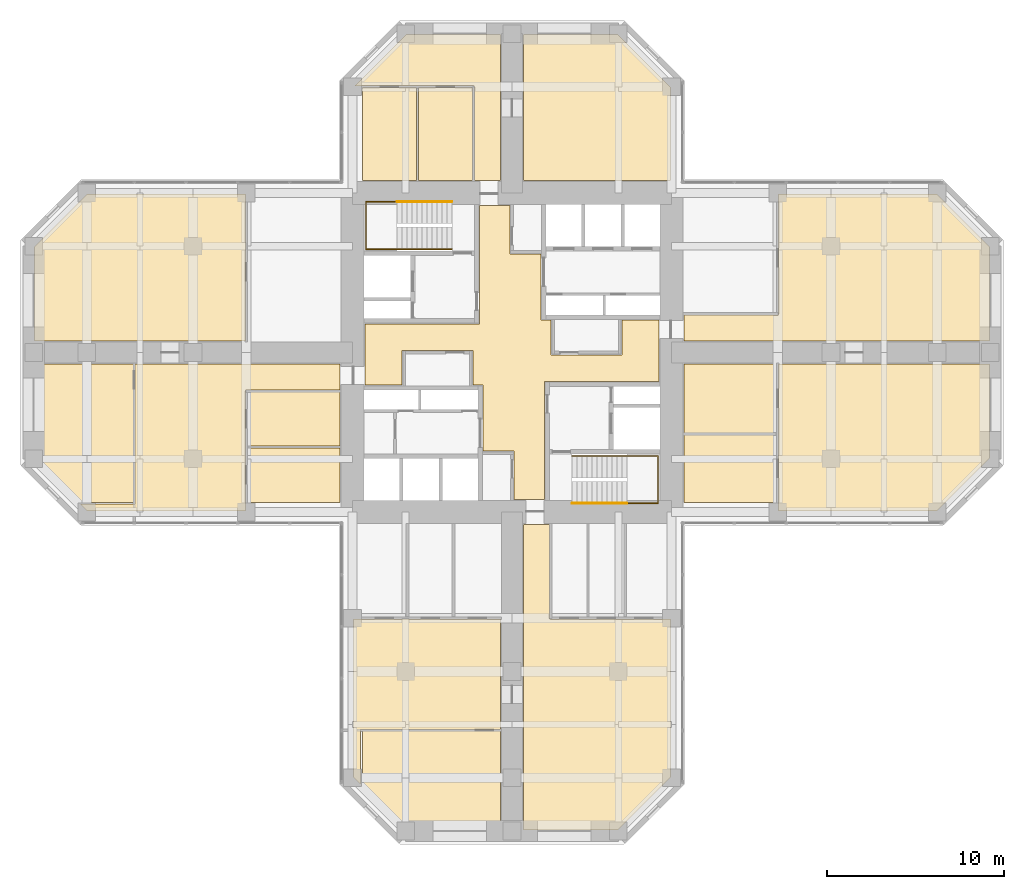
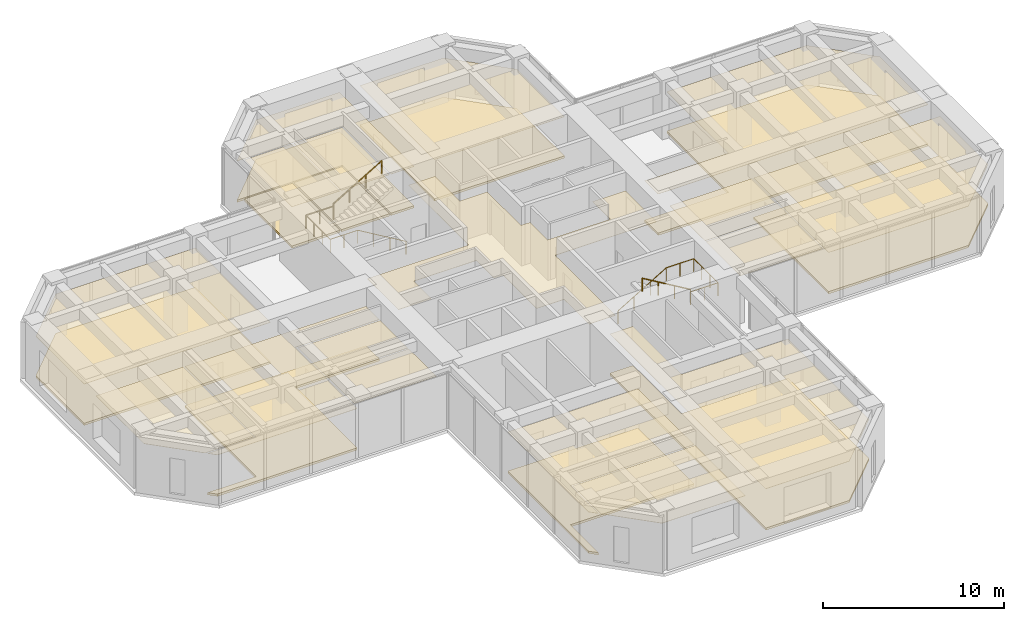
# One storey, part 12 of 12: 27 coverings, 4 railings.
"""IFC4 building model written with IfcOpenShell, lengths in metres."""

from ifc_helpers import new_model, si_unit, direction, frame, origin, origin_2d, place, context, subcontext, project, spatial, polyline, circle, outline, extrude, material, layer, layer_set, constituent, constituent_set, type_object, element, save


model = new_model("IFC4")

# Units and contexts
model_context = context("Model", 3, precision=1e-05, world=origin(), true_north=direction((0.0, 1.0)))
body_context = subcontext(model_context, "Body", "Model", "MODEL_VIEW")
ifc_project = project(units=[si_unit("LENGTHUNIT", "METRE"), si_unit("AREAUNIT", "SQUARE_METRE"), si_unit("VOLUMEUNIT", "CUBIC_METRE"), si_unit("PLANEANGLEUNIT", "RADIAN"), si_unit("MASSUNIT", "GRAM", prefix="KILO")], contexts=[model_context])

# Site, building, storey
site_placement = place(None, origin())
site = spatial("IfcSite", under=ifc_project, at=site_placement, CompositionType="ELEMENT")
building_placement = place(site_placement, origin())
building = spatial("IfcBuilding", under=site, at=building_placement, Name="Torre Cruceta", CompositionType="ELEMENT")
storey_placement = place(building_placement, frame((0.0, 0.0, 136.5)))
storey = spatial("IfcBuildingStorey", under=building, at=storey_placement, Name="L33", CompositionType="ELEMENT", Elevation=136.5)

# Railings
ifc_material_1 = material(Name="Stainless steel 1.4401", Category="steel")
railing_type = type_object("IfcRailingType", Name="HANDRAIL 900", PredefinedType="HANDRAIL", material=ifc_material_1)
railing_1_placement = place(storey_placement, frame((-3.39990234375, 5.8349609375, 0.166748046875)))
element("IfcRailing", 1, at=railing_1_placement, inside=storey, type_object=railing_type, Name="Handrail HR1 ST1 L33", PredefinedType="HANDRAIL", context=body_context, shape_type="SweptSolid", body=[
    extrude(circle(Radius=0.02392578125, at=origin_2d()), frame((0.0, 0.0, 0.8759765625), z_axis=(-0.859308565015, 0.0, 0.511457515432), x_axis=(0.0, -1.0, 0.0)), (0.0, 0.0, 1.0), 3.58447265625),
    extrude(circle(Radius=0.02392578125, at=origin_2d()), frame((-3.080078125, 0.0, 2.708984375), z_axis=(-1.0, 0.0, 0.0), x_axis=(0.0, -1.0, 0.0)), (0.0, 0.0, 1.0), 1.760009765625),
    extrude(circle(Radius=0.02392578125, at=origin_2d()), frame((-4.840087890625, 0.0, 2.708984375), z_axis=(0.0, 1.0, 0.0), x_axis=(-1.0, 0.0, 0.0)), (0.0, 0.0, 1.0), 2.679931640625),
    extrude(circle(Radius=0.02392578125, at=origin_2d()), frame((-4.840087890625, 2.679931640625, 2.708984375), z_axis=(1.0, 0.0, 0.0), x_axis=(0.0, 1.0, 0.0)), (0.0, 0.0, 1.0), 1.760009765625),
    extrude(circle(Radius=0.02099609375, at=origin_2d()), origin(), (0.0, 0.0, 1.0), 0.851806640625),
    extrude(circle(Radius=0.02099609375, at=origin_2d()), frame((-1.026611328125, 0.0, 0.611083984375)), (0.0, 0.0, 1.0), 0.851806640625),
    extrude(circle(Radius=0.02099609375, at=origin_2d()), frame((-2.053466796875, 0.0, 1.22216796875)), (0.0, 0.0, 1.0), 0.851806640625),
    extrude(circle(Radius=0.02099609375, at=origin_2d()), frame((-3.080078125, 0.0, 1.833251953125)), (0.0, 0.0, 1.0), 0.851806640625),
    extrude(circle(Radius=0.02099609375, at=origin_2d()), frame((-3.9599609375, 0.0, 1.833251953125)), (0.0, 0.0, 1.0), 0.851806640625),
    extrude(circle(Radius=0.02099609375, at=origin_2d()), frame((-4.840087890625, 0.0, 1.833251953125)), (0.0, 0.0, 1.0), 0.851806640625),
    extrude(circle(Radius=0.02099609375, at=origin_2d()), frame((-4.840087890625, 0.893310546875, 1.833251953125)), (0.0, 0.0, 1.0), 0.851806640625),
    extrude(circle(Radius=0.02099609375, at=origin_2d()), frame((-4.840087890625, 1.78662109375, 1.833251953125)), (0.0, 0.0, 1.0), 0.851806640625),
    extrude(circle(Radius=0.02099609375, at=origin_2d()), frame((-4.840087890625, 2.679931640625, 1.833251953125)), (0.0, 0.0, 1.0), 0.851806640625),
    extrude(circle(Radius=0.02099609375, at=origin_2d()), frame((-3.9599609375, 2.679931640625, 1.833251953125)), (0.0, 0.0, 1.0), 0.851806640625),
    extrude(circle(Radius=0.02099609375, at=origin_2d()), frame((-3.080078125, 2.679931640625, 1.833251953125)), (0.0, 0.0, 1.0), 0.851806640625),
])
railing_2_placement = place(storey_placement, frame((-6.47998046875, 8.514892578125, 2.166748046875)))
element("IfcRailing", 2, at=railing_2_placement, inside=storey, type_object=railing_type, Name="Handrail HR1 ST1 L33", PredefinedType="HANDRAIL", context=body_context, shape_type="SweptSolid", body=[
    extrude(circle(Radius=0.02392578125, at=origin_2d()), frame((0.0, 0.0, 0.8759765625), z_axis=(0.859308565015, 0.0, 0.511457515432), x_axis=(0.0, 1.0, 0.0)), (0.0, 0.0, 1.0), 3.58447265625),
    extrude(circle(Radius=0.02099609375, at=origin_2d()), origin(), (0.0, 0.0, 1.0), 0.851806640625),
    extrude(circle(Radius=0.02099609375, at=origin_2d()), frame((1.026611328125, 0.0, 0.611083984375)), (0.0, 0.0, 1.0), 0.851806640625),
    extrude(circle(Radius=0.02099609375, at=origin_2d()), frame((2.053466796875, 0.0, 1.22216796875)), (0.0, 0.0, 1.0), 0.851806640625),
    extrude(circle(Radius=0.02099609375, at=origin_2d()), frame((3.080078125, 0.0, 1.833251953125)), (0.0, 0.0, 1.0), 0.851806640625),
])
railing_3_placement = place(storey_placement, frame((3.39990234375, -5.8349609375, 0.166748046875)))
element("IfcRailing", 3, at=railing_3_placement, inside=storey, type_object=railing_type, Name="Handrail HR1 ST2 L33", PredefinedType="HANDRAIL", context=body_context, shape_type="SweptSolid", body=[
    extrude(circle(Radius=0.02392578125, at=origin_2d()), frame((0.0, 0.0, 0.8759765625), z_axis=(0.859308565015, 0.0, 0.511457515432), x_axis=(0.0, 1.0, 0.0)), (0.0, 0.0, 1.0), 3.58447265625),
    extrude(circle(Radius=0.02392578125, at=origin_2d()), frame((3.080078125, 0.0, 2.708984375), z_axis=(1.0, 0.0, 0.0), x_axis=(0.0, 1.0, 0.0)), (0.0, 0.0, 1.0), 1.760009765625),
    extrude(circle(Radius=0.02392578125, at=origin_2d()), frame((4.840087890625, 0.0, 2.708984375), z_axis=(0.0, -1.0, 0.0), x_axis=(1.0, 0.0, 0.0)), (0.0, 0.0, 1.0), 2.679931640625),
    extrude(circle(Radius=0.02392578125, at=origin_2d()), frame((4.840087890625, -2.679931640625, 2.708984375), z_axis=(-1.0, 0.0, 0.0), x_axis=(0.0, -1.0, 0.0)), (0.0, 0.0, 1.0), 1.760009765625),
    extrude(circle(Radius=0.02099609375, at=origin_2d()), origin(), (0.0, 0.0, 1.0), 0.851806640625),
    extrude(circle(Radius=0.02099609375, at=origin_2d()), frame((1.026611328125, 0.0, 0.611083984375)), (0.0, 0.0, 1.0), 0.851806640625),
    extrude(circle(Radius=0.02099609375, at=origin_2d()), frame((2.053466796875, 0.0, 1.22216796875)), (0.0, 0.0, 1.0), 0.851806640625),
    extrude(circle(Radius=0.02099609375, at=origin_2d()), frame((3.080078125, 0.0, 1.833251953125)), (0.0, 0.0, 1.0), 0.851806640625),
    extrude(circle(Radius=0.02099609375, at=origin_2d()), frame((3.9599609375, 0.0, 1.833251953125)), (0.0, 0.0, 1.0), 0.851806640625),
    extrude(circle(Radius=0.02099609375, at=origin_2d()), frame((4.840087890625, 0.0, 1.833251953125)), (0.0, 0.0, 1.0), 0.851806640625),
    extrude(circle(Radius=0.02099609375, at=origin_2d()), frame((4.840087890625, -0.893310546875, 1.833251953125)), (0.0, 0.0, 1.0), 0.851806640625),
    extrude(circle(Radius=0.02099609375, at=origin_2d()), frame((4.840087890625, -1.78662109375, 1.833251953125)), (0.0, 0.0, 1.0), 0.851806640625),
    extrude(circle(Radius=0.02099609375, at=origin_2d()), frame((4.840087890625, -2.679931640625, 1.833251953125)), (0.0, 0.0, 1.0), 0.851806640625),
    extrude(circle(Radius=0.02099609375, at=origin_2d()), frame((3.9599609375, -2.679931640625, 1.833251953125)), (0.0, 0.0, 1.0), 0.851806640625),
    extrude(circle(Radius=0.02099609375, at=origin_2d()), frame((3.080078125, -2.679931640625, 1.833251953125)), (0.0, 0.0, 1.0), 0.851806640625),
])
railing_4_placement = place(storey_placement, frame((6.47998046875, -8.514892578125, 2.166748046875)))
element("IfcRailing", 4, at=railing_4_placement, inside=storey, type_object=railing_type, Name="Handrail HR1 ST2 L33", PredefinedType="HANDRAIL", context=body_context, shape_type="SweptSolid", body=[
    extrude(circle(Radius=0.02392578125, at=origin_2d()), frame((0.0, 0.0, 0.8759765625), z_axis=(-0.859308565015, 0.0, 0.511457515432), x_axis=(0.0, -1.0, 0.0)), (0.0, 0.0, 1.0), 3.58447265625),
    extrude(circle(Radius=0.02099609375, at=origin_2d()), origin(), (0.0, 0.0, 1.0), 0.851806640625),
    extrude(circle(Radius=0.02099609375, at=origin_2d()), frame((-1.026611328125, 0.0, 0.611083984375)), (0.0, 0.0, 1.0), 0.851806640625),
    extrude(circle(Radius=0.02099609375, at=origin_2d()), frame((-2.053466796875, 0.0, 1.22216796875)), (0.0, 0.0, 1.0), 0.851806640625),
    extrude(circle(Radius=0.02099609375, at=origin_2d()), frame((-3.080078125, 0.0, 1.833251953125)), (0.0, 0.0, 1.0), 0.851806640625),
])

# Coverings
ifc_material_2 = material(Name="Steel DX51D", Category="steel")
ifc_constituent_1 = constituent(ifc_material_2, Name="Panel casing")
ifc_material_3 = material(Name="Calcium sulphate", Category="gypsum")
ifc_constituent_2 = constituent(ifc_material_3, Name="Panel core")
ifc_constituent_set = constituent_set(constituents=[ifc_constituent_1, ifc_constituent_2], Name="Raised access floor panel")
covering_type_1 = type_object("IfcCoveringType", Name="RAISED ACCESS FLOOR 150", PredefinedType="FLOORING", material=ifc_constituent_set)
covering_1_placement = place(storey_placement, origin())
element("IfcCovering", 5, at=covering_1_placement, inside=storey, type_object=covering_type_1, Name="Raised floor L33-027", PredefinedType="FLOORING", context=body_context, shape_type="SweptSolid", body=[
    extrude(outline(polyline([(-2.22509765625, 9.699951171875), (-5.28759765625, 9.699951171875), (-5.28759765625, 14.949951171875), (-2.22509765625, 14.949951171875), (-2.22509765625, 9.699951171875)])), origin(), (0.0, 0.0, 1.0), 0.14990234375),
])
covering_2_placement = place(storey_placement, origin())
element("IfcCovering", 6, at=covering_2_placement, inside=storey, type_object=covering_type_1, Name="Raised floor L33-028", PredefinedType="FLOORING", context=body_context, shape_type="SweptSolid", body=[
    extrude(outline(polyline([(-5.387451171875, 9.699951171875), (-8.449951171875, 9.699951171875), (-8.449951171875, 14.949951171875), (-5.387451171875, 14.949951171875), (-5.387451171875, 9.699951171875)])), origin(), (0.0, 0.0, 1.0), 0.14990234375),
])
covering_3_placement = place(storey_placement, origin())
element("IfcCovering", 7, at=covering_3_placement, inside=storey, type_object=covering_type_1, Name="Raised floor L33-029", PredefinedType="FLOORING", context=body_context, shape_type="SweptSolid", body=[
    extrude(outline(polyline([(-0.64990234375, 17.949951171875), (-0.64990234375, 9.699951171875), (-2.125, 9.699951171875), (-2.125, 15.050048828125), (-8.87939453125, 15.050048828125), (-5.979248046875, 17.949951171875), (-0.64990234375, 17.949951171875)])), origin(), (0.0, 0.0, 1.0), 0.14990234375),
])
covering_4_placement = place(storey_placement, origin())
element("IfcCovering", 8, at=covering_4_placement, inside=storey, type_object=covering_type_1, Name="Raised floor L33-030", PredefinedType="FLOORING", context=body_context, shape_type="SweptSolid", body=[
    extrude(outline(polyline([(5.979248046875, 17.949951171875), (8.949951171875, 14.979248046875), (8.949951171875, 9.699951171875), (0.64990234375, 9.699951171875), (0.64990234375, 17.949951171875), (5.979248046875, 17.949951171875)])), origin(), (0.0, 0.0, 1.0), 0.14990234375),
])
covering_5_placement = place(storey_placement, origin())
element("IfcCovering", 9, at=covering_5_placement, inside=storey, type_object=covering_type_1, Name="Raised floor L33-034", PredefinedType="FLOORING", context=body_context, shape_type="SweptSolid", body=[
    extrude(outline(polyline([(26.949951171875, 0.64990234375), (9.699951171875, 0.64990234375), (9.699951171875, 2.125), (15.050048828125, 2.125), (15.050048828125, 8.949951171875), (23.979248046875, 8.949951171875), (26.949951171875, 5.979248046875), (26.949951171875, 0.64990234375)])), origin(), (0.0, 0.0, 1.0), 0.14990234375),
])
covering_6_placement = place(storey_placement, origin())
element("IfcCovering", 10, at=covering_6_placement, inside=storey, type_object=covering_type_1, Name="Raised floor L33-035", PredefinedType="FLOORING", context=body_context, shape_type="SweptSolid", body=[
    extrude(outline(polyline([(26.949951171875, -5.979248046875), (23.979248046875, -8.949951171875), (15.050048828125, -8.949951171875), (15.050048828125, -0.64990234375), (26.949951171875, -0.64990234375), (26.949951171875, -5.979248046875)])), origin(), (0.0, 0.0, 1.0), 0.14990234375),
])
covering_7_placement = place(storey_placement, origin())
element("IfcCovering", 11, at=covering_7_placement, inside=storey, type_object=covering_type_1, Name="Raised floor L33-043", PredefinedType="FLOORING", context=body_context, shape_type="SweptSolid", body=[
    extrude(outline(polyline([(2.125, -9.699951171875), (2.125, -15.050048828125), (8.949951171875, -15.050048828125), (8.949951171875, -23.979248046875), (5.979248046875, -26.949951171875), (0.64990234375, -26.949951171875), (0.64990234375, -9.699951171875), (2.125, -9.699951171875)])), origin(), (0.0, 0.0, 1.0), 0.14990234375),
])
covering_8_placement = place(storey_placement, origin())
element("IfcCovering", 12, at=covering_8_placement, inside=storey, type_object=covering_type_1, Name="Raised floor L33-044", PredefinedType="FLOORING", context=body_context, shape_type="SweptSolid", body=[
    extrude(outline(polyline([(-8.550048828125, -21.27001953125), (-8.550048828125, -24.37939453125), (-8.949951171875, -23.979248046875), (-8.949951171875, -15.050048828125), (-0.64990234375, -15.050048828125), (-0.64990234375, -21.27001953125), (-8.550048828125, -21.27001953125)])), origin(), (0.0, 0.0, 1.0), 0.14990234375),
])
covering_9_placement = place(storey_placement, origin())
element("IfcCovering", 13, at=covering_9_placement, inside=storey, type_object=covering_type_1, Name="Raised floor L33-049", PredefinedType="FLOORING", context=body_context, shape_type="SweptSolid", body=[
    extrude(outline(polyline([(-9.699951171875, -2.125), (-15.050048828125, -2.125), (-15.050048828125, -8.949951171875), (-23.979248046875, -8.949951171875), (-24.37939453125, -8.550048828125), (-21.27001953125, -8.550048828125), (-21.27001953125, -0.64990234375), (-9.699951171875, -0.64990234375), (-9.699951171875, -2.125)])), origin(), (0.0, 0.0, 1.0), 0.14990234375),
])
covering_10_placement = place(storey_placement, origin())
element("IfcCovering", 14, at=covering_10_placement, inside=storey, type_object=covering_type_1, Name="Raised floor L33-050", PredefinedType="FLOORING", context=body_context, shape_type="SweptSolid", body=[
    extrude(outline(polyline([(-23.979248046875, 8.949951171875), (-15.050048828125, 8.949951171875), (-15.050048828125, 0.64990234375), (-26.949951171875, 0.64990234375), (-26.949951171875, 5.979248046875), (-23.979248046875, 8.949951171875)])), origin(), (0.0, 0.0, 1.0), 0.14990234375),
])
ifc_material_4 = material(Name="Mineral fibre ceiling tile", Category="gypsum")
ifc_layer = layer(ifc_material_4, 0.02001953125)
ifc_layer_set = layer_set([ifc_layer], Name="Mineral fibre ceiling tile")
covering_type_2 = type_object("IfcCoveringType", Name="SUSPENDED CEILING 20", PredefinedType="CEILING", material=ifc_layer_set)
covering_11_placement = place(storey_placement, frame((0.0, 0.0, 2.780029296875)))
element("IfcCovering", 15, at=covering_11_placement, inside=storey, type_object=covering_type_2, Name="Ceiling L33-001", PredefinedType="CEILING", context=body_context, shape_type="SweptSolid", body=[
    extrude(outline(polyline([(1.824951171875, -8.300048828125), (0.125, -8.300048828125), (0.125, -5.550048828125), (-1.625, -5.550048828125), (-1.625, -1.824951171875), (-2.199951171875, -1.824951171875), (-2.199951171875, 0.125), (-6.199951171875, 0.125), (-6.199951171875, -1.824951171875), (-8.300048828125, -1.824951171875), (-8.300048828125, 1.625), (-1.824951171875, 1.625), (-1.824951171875, 8.300048828125), (-0.125, 8.300048828125), (-0.125, 5.550048828125), (1.625, 5.550048828125), (1.625, 1.824951171875), (2.199951171875, 1.824951171875), (2.199951171875, -0.125), (6.199951171875, -0.125), (6.199951171875, 1.824951171875), (8.300048828125, 1.824951171875), (8.300048828125, -1.625), (1.824951171875, -1.625), (1.824951171875, -8.300048828125)])), origin(), (0.0, 0.0, 1.0), 0.02001953125),
])
covering_12_placement = place(storey_placement, frame((0.0, 0.0, 2.780029296875)))
element("IfcCovering", 16, at=covering_12_placement, inside=storey, type_object=covering_type_2, Name="Ceiling L33-027", PredefinedType="CEILING", context=body_context, shape_type="SweptSolid", body=[
    extrude(outline(polyline([(-2.22509765625, 9.699951171875), (-5.28759765625, 9.699951171875), (-5.28759765625, 14.949951171875), (-2.22509765625, 14.949951171875), (-2.22509765625, 9.699951171875)])), origin(), (0.0, 0.0, 1.0), 0.02001953125),
])
covering_13_placement = place(storey_placement, frame((0.0, 0.0, 2.780029296875)))
element("IfcCovering", 17, at=covering_13_placement, inside=storey, type_object=covering_type_2, Name="Ceiling L33-028", PredefinedType="CEILING", context=body_context, shape_type="SweptSolid", body=[
    extrude(outline(polyline([(-5.387451171875, 9.699951171875), (-8.449951171875, 9.699951171875), (-8.449951171875, 14.949951171875), (-5.387451171875, 14.949951171875), (-5.387451171875, 9.699951171875)])), origin(), (0.0, 0.0, 1.0), 0.02001953125),
])
covering_14_placement = place(storey_placement, frame((0.0, 0.0, 2.780029296875)))
element("IfcCovering", 18, at=covering_14_placement, inside=storey, type_object=covering_type_2, Name="Ceiling L33-029", PredefinedType="CEILING", context=body_context, shape_type="SweptSolid", body=[
    extrude(outline(polyline([(-0.64990234375, 17.949951171875), (-0.64990234375, 9.699951171875), (-2.125, 9.699951171875), (-2.125, 15.050048828125), (-8.87939453125, 15.050048828125), (-5.979248046875, 17.949951171875), (-0.64990234375, 17.949951171875)])), origin(), (0.0, 0.0, 1.0), 0.02001953125),
])
covering_15_placement = place(storey_placement, frame((0.0, 0.0, 2.780029296875)))
element("IfcCovering", 19, at=covering_15_placement, inside=storey, type_object=covering_type_2, Name="Ceiling L33-030", PredefinedType="CEILING", context=body_context, shape_type="SweptSolid", body=[
    extrude(outline(polyline([(5.979248046875, 17.949951171875), (8.949951171875, 14.979248046875), (8.949951171875, 9.699951171875), (0.64990234375, 9.699951171875), (0.64990234375, 17.949951171875), (5.979248046875, 17.949951171875)])), origin(), (0.0, 0.0, 1.0), 0.02001953125),
])
covering_16_placement = place(storey_placement, frame((0.0, 0.0, 2.780029296875)))
element("IfcCovering", 20, at=covering_16_placement, inside=storey, type_object=covering_type_2, Name="Ceiling L33-032", PredefinedType="CEILING", context=body_context, shape_type="SweptSolid", body=[
    extrude(outline(polyline([(9.699951171875, -4.550048828125), (9.699951171875, -0.64990234375), (14.949951171875, -0.64990234375), (14.949951171875, -4.550048828125), (9.699951171875, -4.550048828125)])), origin(), (0.0, 0.0, 1.0), 0.02001953125),
])
covering_17_placement = place(storey_placement, frame((0.0, 0.0, 2.780029296875)))
element("IfcCovering", 21, at=covering_17_placement, inside=storey, type_object=covering_type_2, Name="Ceiling L33-033", PredefinedType="CEILING", context=body_context, shape_type="SweptSolid", body=[
    extrude(outline(polyline([(9.699951171875, -8.449951171875), (9.699951171875, -4.64990234375), (14.949951171875, -4.64990234375), (14.949951171875, -8.449951171875), (9.699951171875, -8.449951171875)])), origin(), (0.0, 0.0, 1.0), 0.02001953125),
])
covering_18_placement = place(storey_placement, frame((0.0, 0.0, 2.780029296875)))
element("IfcCovering", 22, at=covering_18_placement, inside=storey, type_object=covering_type_2, Name="Ceiling L33-034", PredefinedType="CEILING", context=body_context, shape_type="SweptSolid", body=[
    extrude(outline(polyline([(26.949951171875, 0.64990234375), (9.699951171875, 0.64990234375), (9.699951171875, 2.125), (15.050048828125, 2.125), (15.050048828125, 8.949951171875), (23.979248046875, 8.949951171875), (26.949951171875, 5.979248046875), (26.949951171875, 0.64990234375)])), origin(), (0.0, 0.0, 1.0), 0.02001953125),
])
covering_19_placement = place(storey_placement, frame((0.0, 0.0, 2.780029296875)))
element("IfcCovering", 23, at=covering_19_placement, inside=storey, type_object=covering_type_2, Name="Ceiling L33-035", PredefinedType="CEILING", context=body_context, shape_type="SweptSolid", body=[
    extrude(outline(polyline([(26.949951171875, -5.979248046875), (23.979248046875, -8.949951171875), (15.050048828125, -8.949951171875), (15.050048828125, -0.64990234375), (26.949951171875, -0.64990234375), (26.949951171875, -5.979248046875)])), origin(), (0.0, 0.0, 1.0), 0.02001953125),
])
covering_20_placement = place(storey_placement, frame((0.0, 0.0, 2.780029296875)))
element("IfcCovering", 24, at=covering_20_placement, inside=storey, type_object=covering_type_2, Name="Ceiling L33-042", PredefinedType="CEILING", context=body_context, shape_type="SweptSolid", body=[
    extrude(outline(polyline([(-8.449951171875, -24.479248046875), (-8.449951171875, -21.3701171875), (-0.64990234375, -21.3701171875), (-0.64990234375, -26.949951171875), (-5.979248046875, -26.949951171875), (-8.449951171875, -24.479248046875)])), origin(), (0.0, 0.0, 1.0), 0.02001953125),
])
covering_21_placement = place(storey_placement, frame((0.0, 0.0, 2.780029296875)))
element("IfcCovering", 25, at=covering_21_placement, inside=storey, type_object=covering_type_2, Name="Ceiling L33-043", PredefinedType="CEILING", context=body_context, shape_type="SweptSolid", body=[
    extrude(outline(polyline([(2.125, -9.699951171875), (2.125, -15.050048828125), (8.949951171875, -15.050048828125), (8.949951171875, -23.979248046875), (5.979248046875, -26.949951171875), (0.64990234375, -26.949951171875), (0.64990234375, -9.699951171875), (2.125, -9.699951171875)])), origin(), (0.0, 0.0, 1.0), 0.02001953125),
])
covering_22_placement = place(storey_placement, frame((0.0, 0.0, 2.780029296875)))
element("IfcCovering", 26, at=covering_22_placement, inside=storey, type_object=covering_type_2, Name="Ceiling L33-044", PredefinedType="CEILING", context=body_context, shape_type="SweptSolid", body=[
    extrude(outline(polyline([(-8.550048828125, -21.27001953125), (-8.550048828125, -24.37939453125), (-8.949951171875, -23.979248046875), (-8.949951171875, -15.050048828125), (-0.64990234375, -15.050048828125), (-0.64990234375, -21.27001953125), (-8.550048828125, -21.27001953125)])), origin(), (0.0, 0.0, 1.0), 0.02001953125),
])
covering_23_placement = place(storey_placement, frame((0.0, 0.0, 2.780029296875)))
element("IfcCovering", 27, at=covering_23_placement, inside=storey, type_object=covering_type_2, Name="Ceiling L33-045", PredefinedType="CEILING", context=body_context, shape_type="SweptSolid", body=[
    extrude(outline(polyline([(-9.699951171875, -2.22509765625), (-9.699951171875, -5.28759765625), (-14.949951171875, -5.28759765625), (-14.949951171875, -2.22509765625), (-9.699951171875, -2.22509765625)])), origin(), (0.0, 0.0, 1.0), 0.02001953125),
])
covering_24_placement = place(storey_placement, frame((0.0, 0.0, 2.780029296875)))
element("IfcCovering", 28, at=covering_24_placement, inside=storey, type_object=covering_type_2, Name="Ceiling L33-046", PredefinedType="CEILING", context=body_context, shape_type="SweptSolid", body=[
    extrude(outline(polyline([(-9.699951171875, -5.387451171875), (-9.699951171875, -8.449951171875), (-14.949951171875, -8.449951171875), (-14.949951171875, -5.387451171875), (-9.699951171875, -5.387451171875)])), origin(), (0.0, 0.0, 1.0), 0.02001953125),
])
covering_25_placement = place(storey_placement, frame((0.0, 0.0, 2.780029296875)))
element("IfcCovering", 29, at=covering_25_placement, inside=storey, type_object=covering_type_2, Name="Ceiling L33-048", PredefinedType="CEILING", context=body_context, shape_type="SweptSolid", body=[
    extrude(outline(polyline([(-26.949951171875, -0.64990234375), (-21.3701171875, -0.64990234375), (-21.3701171875, -8.449951171875), (-24.479248046875, -8.449951171875), (-26.949951171875, -5.979248046875), (-26.949951171875, -0.64990234375)])), origin(), (0.0, 0.0, 1.0), 0.02001953125),
])
covering_26_placement = place(storey_placement, frame((0.0, 0.0, 2.780029296875)))
element("IfcCovering", 30, at=covering_26_placement, inside=storey, type_object=covering_type_2, Name="Ceiling L33-049", PredefinedType="CEILING", context=body_context, shape_type="SweptSolid", body=[
    extrude(outline(polyline([(-9.699951171875, -2.125), (-15.050048828125, -2.125), (-15.050048828125, -8.949951171875), (-23.979248046875, -8.949951171875), (-24.37939453125, -8.550048828125), (-21.27001953125, -8.550048828125), (-21.27001953125, -0.64990234375), (-9.699951171875, -0.64990234375), (-9.699951171875, -2.125)])), origin(), (0.0, 0.0, 1.0), 0.02001953125),
])
covering_27_placement = place(storey_placement, frame((0.0, 0.0, 2.780029296875)))
element("IfcCovering", 31, at=covering_27_placement, inside=storey, type_object=covering_type_2, Name="Ceiling L33-050", PredefinedType="CEILING", context=body_context, shape_type="SweptSolid", body=[
    extrude(outline(polyline([(-23.979248046875, 8.949951171875), (-15.050048828125, 8.949951171875), (-15.050048828125, 0.64990234375), (-26.949951171875, 0.64990234375), (-26.949951171875, 5.979248046875), (-23.979248046875, 8.949951171875)])), origin(), (0.0, 0.0, 1.0), 0.02001953125),
])

save(model, "model.ifc")
